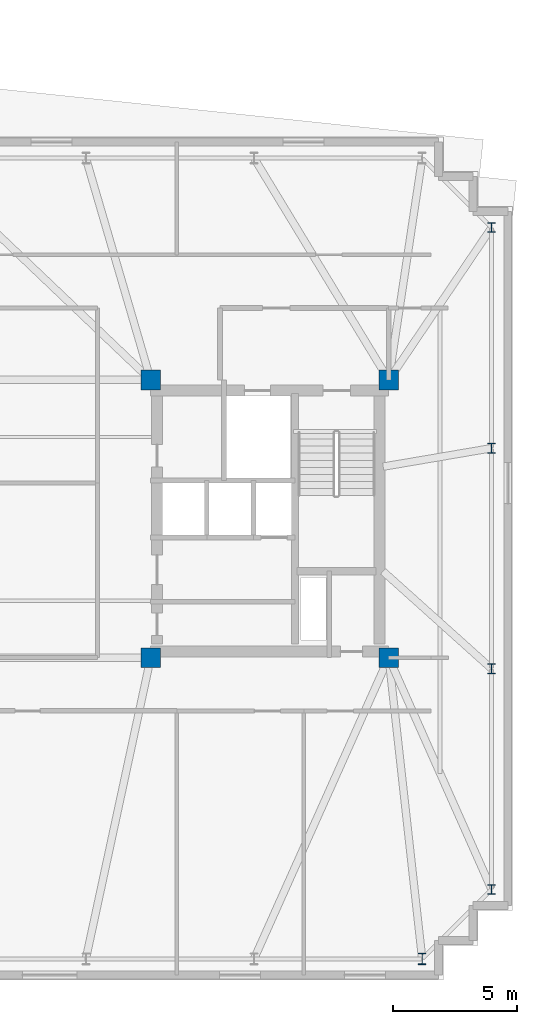
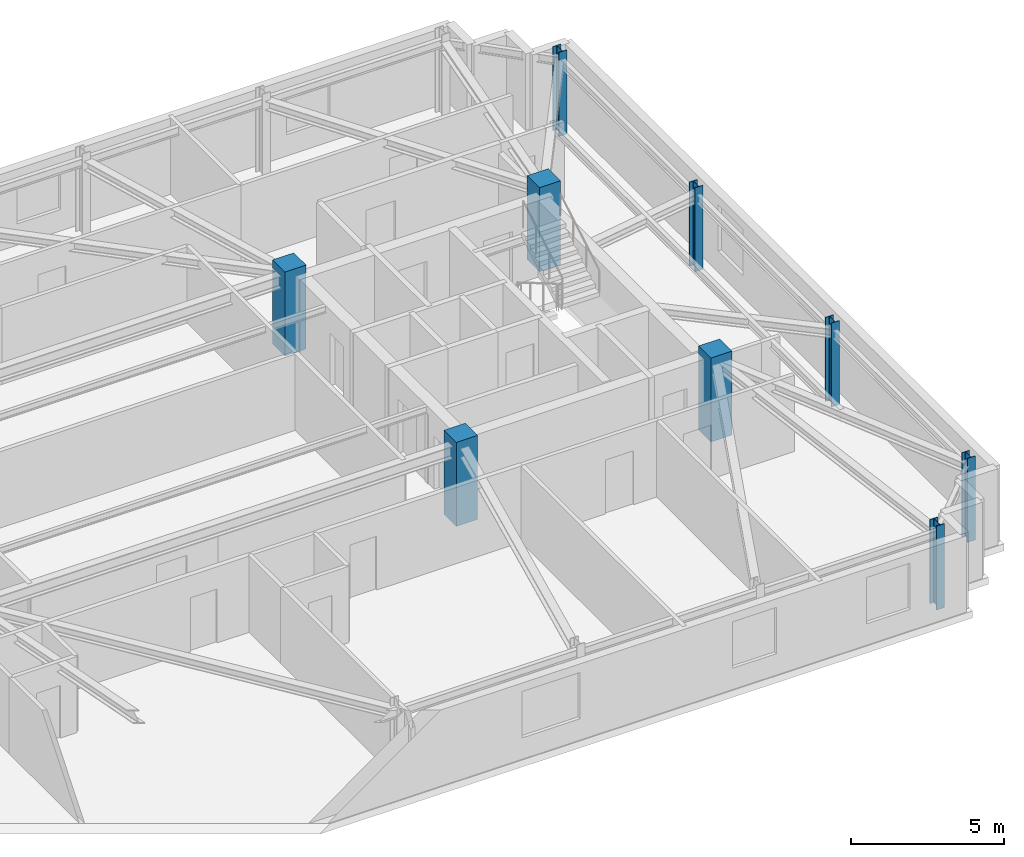
# One storey, part 2 of 12: 9 columns.
"""IFC4 building model written with IfcOpenShell, lengths in metres."""

from ifc_helpers import new_model, si_unit, direction, frame, origin, origin_2d, place, context, subcontext, project, spatial, rectangle, i_section, extrude, material, material_profile, profile_set, type_object, element, save


model = new_model("IFC4")

# Units and contexts
model_context = context("Model", 3, precision=1e-05, world=origin(), true_north=direction((0.0, 1.0)))
body_context = subcontext(model_context, "Body", "Model", "MODEL_VIEW")
ifc_project = project(units=[si_unit("LENGTHUNIT", "METRE"), si_unit("AREAUNIT", "SQUARE_METRE"), si_unit("VOLUMEUNIT", "CUBIC_METRE"), si_unit("PLANEANGLEUNIT", "RADIAN"), si_unit("MASSUNIT", "GRAM", prefix="KILO")], contexts=[model_context])

# Site, building, storey
site_placement = place(None, origin())
site = spatial("IfcSite", under=ifc_project, at=site_placement, CompositionType="ELEMENT")
building_placement = place(site_placement, origin())
building = spatial("IfcBuilding", under=site, at=building_placement, Name="Qobustan Lattice House", CompositionType="ELEMENT")
storey_placement = place(building_placement, frame((0.0, 0.0, 228.300048828125)))
storey = spatial("IfcBuildingStorey", under=building, at=storey_placement, Name="L64", CompositionType="ELEMENT", Elevation=228.300048828125)

# Columns
ifc_material_1 = material(Name="Concrete C50/60", Category="concrete")
ifc_material_profile_1 = material_profile(ifc_material_1, rectangle(XDim=0.800048828125, YDim=0.800048828125, at=origin_2d()), Name="RC800x800")
ifc_profile_set_1 = profile_set([ifc_material_profile_1], Name="Concrete C50/60")
column_type_1 = type_object("IfcColumnType", Name="COL-RC-800", PredefinedType="COLUMN", material=ifc_profile_set_1)
for number, where, z_axis, x_axis, name in (
    (1, (9.199951171875, -5.60009765625, 0.0), (0.0, 0.0, 1.0), (1.0, 0.0, 0.0), "L64 core mega-column CE-SW"),
    (2, (9.199951171875, 5.60009765625, 0.0), (0.0, 0.0, 1.0), (1.0, 0.0, 0.0), "L64 core mega-column CE-NW"),
    (3, (18.800048828125, -5.60009765625, 0.0), (0.0, 0.0, 1.0), (1.0, 0.0, 0.0), "L64 core mega-column CE-SE"),
    (4, (18.800048828125, 5.60009765625, 0.0), (0.0, 0.0, 1.0), (1.0, 0.0, 0.0), "L64 core mega-column CE-NE"),
):
    element("IfcColumn", number, at=place(storey_placement, frame(where, z_axis=z_axis, x_axis=x_axis)), inside=storey, type_object=column_type_1, Name=name, PredefinedType="COLUMN", context=body_context, shape_type="SweptSolid", body=[
        extrude(rectangle(XDim=0.800048828125, YDim=0.800048828125, at=origin_2d()), origin(), (0.0, 0.0, 1.0), 3.349853515625),
    ])
ifc_material_2 = material(Name="Steel S355", Category="steel")
ifc_material_profile_2 = material_profile(ifc_material_2, i_section(OverallWidth=0.300048828125, OverallDepth=0.39990234375, WebThickness=0.013427734375, FlangeThickness=0.02392578125, FilletRadius=0.027099609375, at=origin_2d()), Name="HEB400")
ifc_profile_set_2 = profile_set([ifc_material_profile_2], Name="Steel S355")
column_type_2 = type_object("IfcColumnType", Name="COL-ST-HEB400", PredefinedType="COLUMN", material=ifc_profile_set_2)
for number, where, z_axis, x_axis, name in (
    (5, (22.949951171875, -14.949951171875, 0.0), (0.0, 0.0, 1.0), (1.0, 0.0, 0.0), "L64 B5 perimeter column E1"),
    (6, (22.949951171875, -6.050048828125, 0.0), (0.0, 0.0, 1.0), (1.0, 0.0, 0.0), "L64 B5 perimeter column E2"),
    (7, (22.949951171875, 2.85009765625, 0.0), (0.0, 0.0, 1.0), (1.0, 0.0, 0.0), "L64 B5 perimeter column E3"),
    (8, (22.949951171875, 11.75, 0.0), (0.0, 0.0, 1.0), (1.0, 0.0, 0.0), "L64 B5 perimeter column E4"),
):
    element("IfcColumn", number, at=place(storey_placement, frame(where, z_axis=z_axis, x_axis=x_axis)), inside=storey, type_object=column_type_2, Name=name, PredefinedType="COLUMN", context=body_context, shape_type="SweptSolid", body=[
        extrude(i_section(OverallWidth=0.300048828125, OverallDepth=0.39990234375, WebThickness=0.013427734375, FlangeThickness=0.02392578125, FilletRadius=0.027099609375, at=origin_2d()), origin(), (0.0, 0.0, 1.0), 3.349853515625),
    ])
ifc_material_3 = material(Name="Steel S355", Category="steel")
ifc_material_profile_3 = material_profile(ifc_material_3, i_section(OverallWidth=0.300048828125, OverallDepth=0.449951171875, WebThickness=0.013916015625, FlangeThickness=0.02587890625, FilletRadius=0.027099609375, at=origin_2d()), Name="HEB450")
ifc_profile_set_3 = profile_set([ifc_material_profile_3], Name="Steel S355")
column_type_3 = type_object("IfcColumnType", Name="COL-ST-HEB450", PredefinedType="COLUMN", material=ifc_profile_set_3)
column_placement = place(storey_placement, frame((20.14990234375, -17.75, 0.0), z_axis=(0.0, 0.0, 1.0), x_axis=(1.0, 0.0, 0.0)))
element("IfcColumn", 9, at=column_placement, inside=storey, type_object=column_type_3, Name="L64 B5 perimeter column S7", PredefinedType="COLUMN", context=body_context, shape_type="SweptSolid", body=[
    extrude(i_section(OverallWidth=0.300048828125, OverallDepth=0.449951171875, WebThickness=0.013916015625, FlangeThickness=0.02587890625, FilletRadius=0.027099609375, at=origin_2d()), origin(), (0.0, 0.0, 1.0), 3.349853515625),
])

save(model, "model.ifc")
